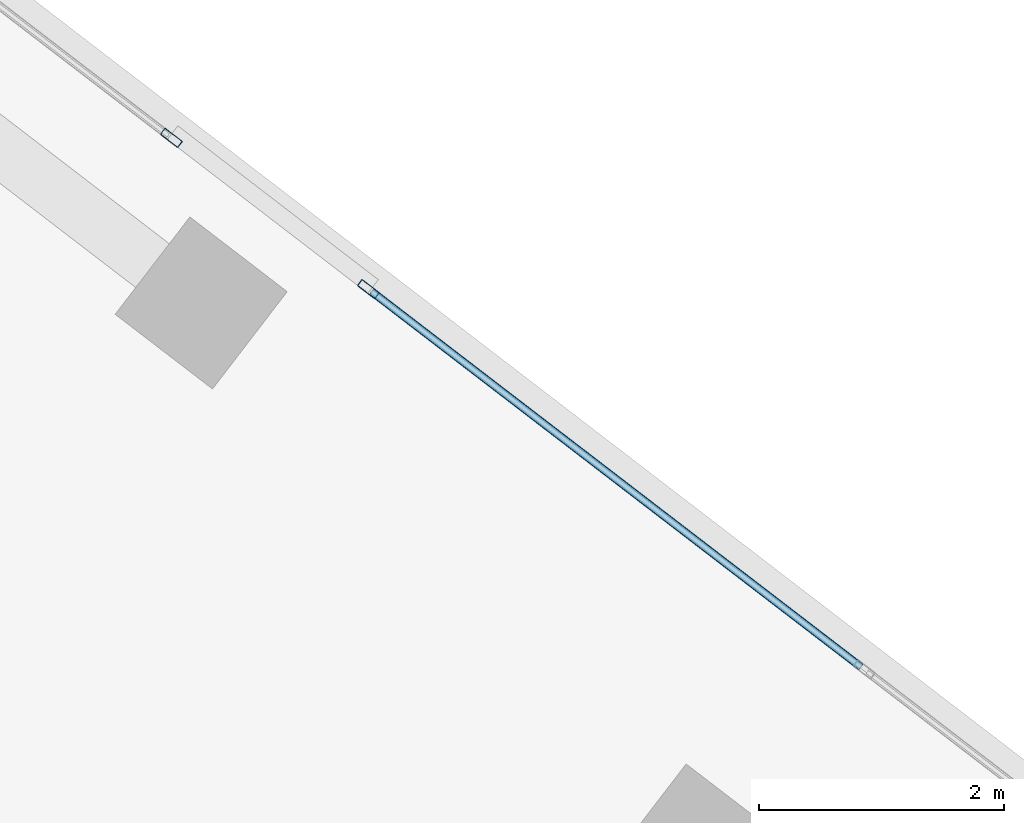
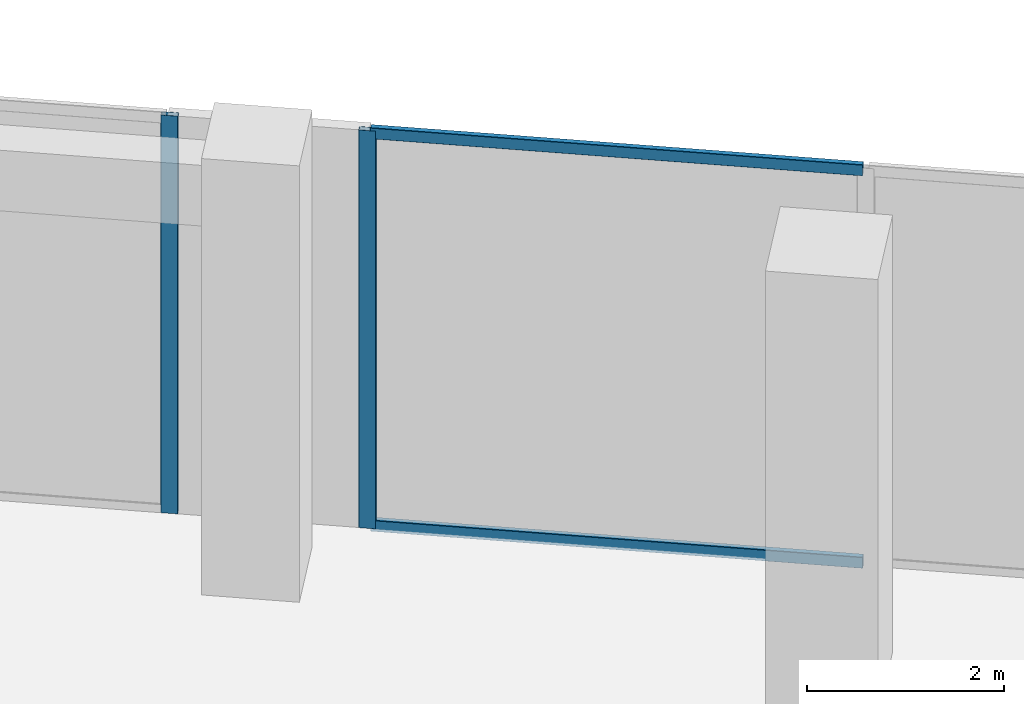
# One storey, part 9 of 23: 4 members, 2 elements without a shape of their own.
"""IFC4 building model written with IfcOpenShell, lengths in metres."""

from ifc_helpers import new_model, si_unit, direction, frame, origin, origin_2d, place, context, subcontext, project, spatial, hollow_rectangle, extrude, source, transform, mapped, material, material_profile, profile_set, type_object, element, aggregate, save


model = new_model("IFC4")

# Units and contexts
model_context = context("Model", 3, precision=1e-05, world=origin(), true_north=direction((0.0, 1.0)))
body_context = subcontext(model_context, "Body", "Model", "MODEL_VIEW")
ifc_project = project(units=[si_unit("LENGTHUNIT", "METRE"), si_unit("AREAUNIT", "SQUARE_METRE"), si_unit("VOLUMEUNIT", "CUBIC_METRE"), si_unit("PLANEANGLEUNIT", "RADIAN"), si_unit("MASSUNIT", "GRAM", prefix="KILO")], contexts=[model_context])

# Site, building, storey
site_placement = place(None, origin())
site = spatial("IfcSite", under=ifc_project, at=site_placement, CompositionType="ELEMENT")
building_placement = place(site_placement, origin())
building = spatial("IfcBuilding", under=site, at=building_placement, Name="Torre Montelarca", CompositionType="ELEMENT")
storey_placement = place(building_placement, frame((0.0, 0.0, 204.39990234375)))
storey = spatial("IfcBuildingStorey", under=building, at=storey_placement, Name="L46", CompositionType="ELEMENT", Elevation=204.39990234375)

# Curtain wall, member
ifc_material_1 = material(Name="Insulated low-E laminated glass", Category="glass")
curtain_wall_type = type_object("IfcCurtainWallType", Name="CW-SYS-Z2", PredefinedType="USERDEFINED", material=ifc_material_1)
curtain_wall_1_placement = place(storey_placement, origin())
curtain_wall_1 = element("IfcCurtainWall", 1, at=curtain_wall_1_placement, inside=storey, type_object=curtain_wall_type, Name="L46 Curtain Wall Run CW-T3-L46-E08-B1", ObjectType="UNITISED GLAZING", PredefinedType="USERDEFINED")
ifc_material_2 = material(Name="Anodised aluminium AA 6063-T6", Category="aluminium")
ifc_material_profile_1 = material_profile(ifc_material_2, hollow_rectangle(XDim=0.06494140625, YDim=0.179931640625, WallThickness=0.00390625, InnerFilletRadius=0.00390625, OuterFilletRadius=0.008056640625, at=origin_2d()), Name="ALU65X180X4", Category="aluminium")
ifc_profile_set_1 = profile_set([ifc_material_profile_1], Name="Anodised aluminium AA 6063-T6")
member_type_1 = type_object("IfcMemberType", Name="CWM-ALU180", PredefinedType="MULLION", material=ifc_profile_set_1)
shared_shape_1 = source(origin(), body_context, "Body", "SweptSolid", [
    extrude(hollow_rectangle(XDim=0.06494140625, YDim=0.179931640625, WallThickness=0.00390625, InnerFilletRadius=0.00390625, OuterFilletRadius=0.008056640625, at=origin_2d()), origin(), (0.0, 0.0, 1.0), 4.920166015625),
])
member_1_placement = place(storey_placement, frame((43.589599609375, 35.3056640625, 0.0), z_axis=(0.0, 0.0, 1.0), x_axis=(-0.60875783745, -0.793356096178, 0.0)))
member_1 = element("IfcMember", 2, at=member_1_placement, type_object=member_type_1, Name="CW mullion 3", PredefinedType="MULLION", context=body_context, shape_type="MappedRepresentation", body=[
    mapped(shared_shape_1, transform((0.0, 0.0, 0.0), scale=1.0)),
])

curtain_wall_2_placement = place(storey_placement, origin())
curtain_wall_2 = element("IfcCurtainWall", 3, at=curtain_wall_2_placement, inside=storey, type_object=curtain_wall_type, Name="L46 Curtain Wall Run CW-T3-L46-E08-B2", ObjectType="UNITISED GLAZING", PredefinedType="USERDEFINED")
member_2_placement = place(storey_placement, frame((41.983154296875, 36.53857421875, 0.0), z_axis=(0.0, 0.0, 1.0), x_axis=(-0.608770551875, -0.793346339987, 0.0)))
member_2 = element("IfcMember", 4, at=member_2_placement, type_object=member_type_1, Name="CW mullion 1", PredefinedType="MULLION", context=body_context, shape_type="MappedRepresentation", body=[
    mapped(shared_shape_1, transform((0.0, 0.0, 0.0), scale=1.0)),
])
aggregate(curtain_wall_2, [member_2])

# Member
ifc_material_profile_2 = material_profile(ifc_material_2, hollow_rectangle(XDim=0.06494140625, YDim=0.139892578125, WallThickness=0.00390625, InnerFilletRadius=0.00390625, OuterFilletRadius=0.008056640625, at=origin_2d()), Name="ALU65X140X4", Category="aluminium")
ifc_profile_set_2 = profile_set([ifc_material_profile_2], Name="Anodised aluminium AA 6063-T6")
member_type_2 = type_object("IfcMemberType", Name="CWT-ALU140", PredefinedType="USERDEFINED", material=ifc_profile_set_2)
shared_shape_2 = source(origin(), body_context, "Body", "SweptSolid", [
    extrude(hollow_rectangle(XDim=0.06494140625, YDim=0.139892578125, WallThickness=0.00390625, InnerFilletRadius=0.00390625, OuterFilletRadius=0.008056640625, at=origin_2d()), origin(), (0.0, 0.0, 1.0), 5.029541015625),
])
member_3_placement = place(storey_placement, frame((47.605712890625, 32.22412109375, 0.03271484375), z_axis=(-0.793357848278, 0.608755554041, 0.0), x_axis=(-0.608755554041, -0.793357848278, 0.0)))
member_3 = element("IfcMember", 5, at=member_3_placement, type_object=member_type_2, Name="CW transom 2.1", ObjectType="TRANSOM", PredefinedType="USERDEFINED", context=body_context, shape_type="MappedRepresentation", body=[
    mapped(shared_shape_2, transform((0.0, 0.0, 0.0), scale=1.0)),
])

member_4_placement = place(storey_placement, frame((47.605712890625, 32.22412109375, 4.8876953125), z_axis=(-0.793357848278, 0.608755554041, 0.0), x_axis=(-0.608755554041, -0.793357848278, 0.0)))
member_4 = element("IfcMember", 6, at=member_4_placement, type_object=member_type_2, Name="CW transom 2.2", ObjectType="TRANSOM", PredefinedType="USERDEFINED", context=body_context, shape_type="MappedRepresentation", body=[
    mapped(shared_shape_2, transform((0.0, 0.0, 0.0), scale=1.0)),
])

aggregate(curtain_wall_1, [member_1, member_3, member_4])

save(model, "model.ifc")
